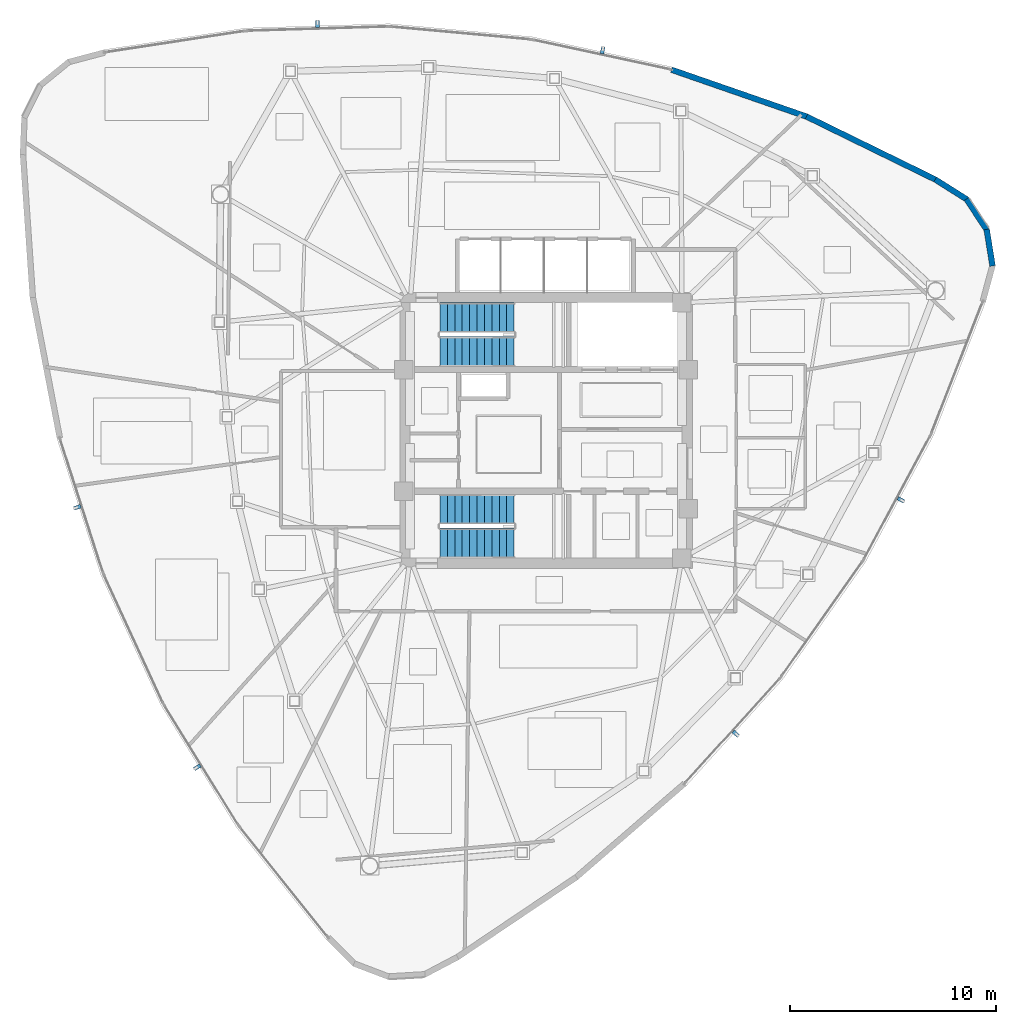
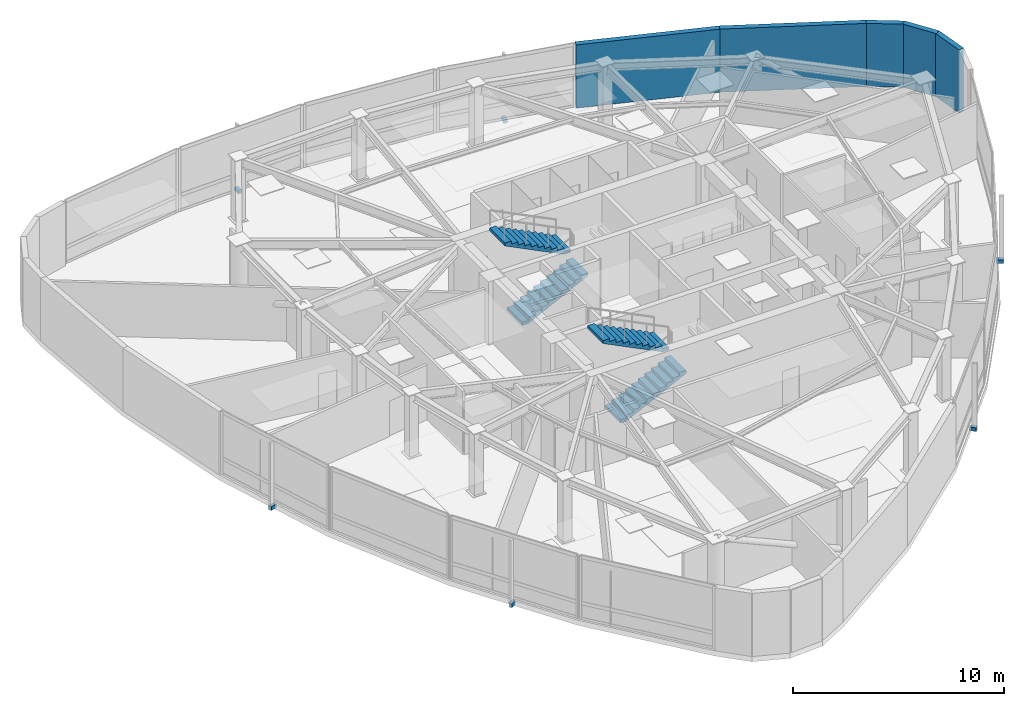
# One storey, part 11 of 14: 6 discrete accessories, 5 walls, 4 stair flights, 2 elements without a shape of their own.
"""IFC4 building model written with IfcOpenShell, lengths in metres."""

from ifc_helpers import new_model, si_unit, direction, frame, frame_2d, origin, origin_2d, place, context, subcontext, project, spatial, polyline, rectangle, outline, extrude, source, transform, mapped, material, layer, layer_set, type_object, type_shapes, element, aggregate, save


model = new_model("IFC4")

# Units and contexts
model_context = context("Model", 3, precision=1e-05, world=origin(), true_north=direction((0.0, 1.0)))
body_context = subcontext(model_context, "Body", "Model", "MODEL_VIEW")
ifc_project = project(units=[si_unit("LENGTHUNIT", "METRE"), si_unit("AREAUNIT", "SQUARE_METRE"), si_unit("VOLUMEUNIT", "CUBIC_METRE"), si_unit("PLANEANGLEUNIT", "RADIAN"), si_unit("MASSUNIT", "GRAM", prefix="KILO")], contexts=[model_context])

# Site, building, storey
site_placement = place(None, origin())
site = spatial("IfcSite", under=ifc_project, at=site_placement, CompositionType="ELEMENT")
building_placement = place(site_placement, origin())
building = spatial("IfcBuilding", under=site, at=building_placement, Name="Tavelor Broadcast Tower", CompositionType="ELEMENT")
storey_placement = place(building_placement, frame((0.0, 0.0, 257.699951171875)))
storey = spatial("IfcBuildingStorey", under=building, at=storey_placement, Name="L61", CompositionType="ELEMENT", Elevation=257.699951171875)

# Walls
ifc_material_1 = material(Name="Precast Concrete C40/50", Category="concrete")
ifc_layer = layer(ifc_material_1, 0.280029296875)
ifc_layer_set = layer_set([ifc_layer], Name="Precast Concrete C40/50")
wall_type = type_object("IfcWallType", Name="Insulated Precast Terracotta Facade Wall 280 mm", PredefinedType="STANDARD", material=ifc_layer_set)
for number, where, z_axis, x_axis, name in (
    (1, (71.680908203125, 52.983642578125, 0.0), (0.0, 0.0, 1.0), (-0.158963777333, 0.987284415706, 0.0), "L61 Rounded Corner Structural Cladding Pier 22"),
    (2, (71.4052734375, 54.7333984375, 0.0), (0.0, 0.0, 1.0), (-0.551189826252, 0.834379874779, 0.0), "L61 Rounded Corner Structural Cladding Pier 23"),
):
    element("IfcWall", number, at=place(storey_placement, frame(where, z_axis=z_axis, x_axis=x_axis)), inside=storey, type_object=wall_type, Name=name, PredefinedType="STANDARD", context=body_context, shape_type="SweptSolid", body=[
        extrude(rectangle(XDim=1.800048828125, YDim=0.280029296875, at=frame_2d((0.89990234375, 0.0))), origin(), (0.0, 0.0, 1.0), 3.650146484375),
    ])
wall_1_placement = place(storey_placement, frame((70.43408203125, 56.21484375, 0.0), z_axis=(0.0, 0.0, 1.0), x_axis=(-0.845740297802, 0.533594741984, 0.0)))
element("IfcWall", 3, at=wall_1_placement, inside=storey, type_object=wall_type, Name="L61 Rounded Corner Structural Cladding Pier 24", PredefinedType="STANDARD", context=body_context, shape_type="SweptSolid", body=[
    extrude(rectangle(XDim=1.822265625, YDim=0.280029296875, at=frame_2d((0.9111328125, 0.0))), origin(), (0.0, 0.0, 1.0), 3.650146484375),
])
wall_2_placement = place(storey_placement, frame((68.9189453125, 57.172607421875, 0.0), z_axis=(0.0, 0.0, 1.0), x_axis=(-0.89820702627, 0.439572676538, 0.0)))
element("IfcWall", 4, at=wall_2_placement, inside=storey, type_object=wall_type, Name="L61 Rounded Corner Structural Cladding Pier 25", PredefinedType="STANDARD", context=body_context, shape_type="SweptSolid", body=[
    extrude(rectangle(XDim=6.980224609375, YDim=0.280029296875, at=frame_2d((3.490234375, 0.0))), origin(), (0.0, 0.0, 1.0), 3.650146484375),
])
wall_3_placement = place(storey_placement, frame((62.677001953125, 60.2294921875, 0.0), z_axis=(0.0, 0.0, 1.0), x_axis=(-0.944802655, 0.327639959566, 0.0)))
element("IfcWall", 5, at=wall_3_placement, inside=storey, type_object=wall_type, Name="L61 Rounded Corner Structural Cladding Pier 26", PredefinedType="STANDARD", context=body_context, shape_type="SweptSolid", body=[
    extrude(rectangle(XDim=6.96875, YDim=0.280029296875, at=frame_2d((3.484375, 0.0))), origin(), (0.0, 0.0, 1.0), 3.650146484375),
])

# Stair, stair flights
ifc_material_2 = material(Name="Concrete C40/50", Category="concrete")
stair_type = type_object("IfcStairType", Name="Reinforced Concrete Protected Dogleg Stair 1450 mm", PredefinedType="HALF_TURN_STAIR", material=ifc_material_2)
stair_1_placement = place(storey_placement, origin())
stair_1 = element("IfcStair", 6, at=stair_1_placement, inside=storey, type_object=stair_type, Name="L61 Protected Core Exit Stair ST1", PredefinedType="HALF_TURN_STAIR")
stair_flight_type = type_object("IfcStairFlightType", Name="Reinforced Concrete Stair Flight 1450 mm", PredefinedType="STRAIGHT", material=ifc_material_2)
stair_flight_1_placement = place(storey_placement, frame((44.85009765625, 48.824951171875, 0.0), z_axis=(0.0, 0.0, 1.0), x_axis=(1.0, 0.0, 0.0)))
stair_flight_1 = element("IfcStairFlight", 7, at=stair_flight_1_placement, type_object=stair_flight_type, Name="ST1 flight 1", NumberOfRisers=11, NumberOfTreads=10, PredefinedType="STRAIGHT", RiserHeight=0.179545455, TreadLength=0.36, context=body_context, shape_type="SweptSolid", body=[
    extrude(outline(polyline([(0.0, 0.0), (0.0, 0.179443359375), (0.360107421875, 0.179443359375), (0.360107421875, 0.359130859375), (0.719970703125, 0.359130859375), (0.719970703125, 0.53857421875), (1.080078125, 0.53857421875), (1.080078125, 0.71826171875), (1.43994140625, 0.71826171875), (1.43994140625, 0.897705078125), (1.800048828125, 0.897705078125), (1.800048828125, 1.077392578125), (2.159912109375, 1.077392578125), (2.159912109375, 1.2568359375), (2.52001953125, 1.2568359375), (2.52001953125, 1.436279296875), (2.8798828125, 1.436279296875), (2.8798828125, 1.615966796875), (3.239990234375, 1.615966796875), (3.239990234375, 1.79541015625), (3.60009765625, 1.79541015625), (3.60009765625, 1.97509765625), (3.60009765625, 1.6279296875), (0.3359375, 0.0), (0.0, 0.0)])), frame((0.0, 0.72509765625, 0.0), z_axis=(0.0, -1.0, 0.0), x_axis=(1.0, 0.0, 0.0)), (0.0, 0.0, 1.0), 1.449951171875),
])
stair_flight_2_placement = place(storey_placement, frame((48.449951171875, 50.47509765625, 1.97509765625), z_axis=(0.0, 0.0, 1.0), x_axis=(-1.0, 0.0, 0.0)))
stair_flight_2 = element("IfcStairFlight", 8, at=stair_flight_2_placement, type_object=stair_flight_type, Name="ST1 flight 2", NumberOfRisers=11, NumberOfTreads=10, PredefinedType="STRAIGHT", RiserHeight=0.179545455, TreadLength=0.36, context=body_context, shape_type="SweptSolid", body=[
    extrude(outline(polyline([(0.0, 0.0), (0.0, 0.179443359375), (0.360107421875, 0.179443359375), (0.360107421875, 0.359130859375), (0.719970703125, 0.359130859375), (0.719970703125, 0.53857421875), (1.080078125, 0.53857421875), (1.080078125, 0.71826171875), (1.43994140625, 0.71826171875), (1.43994140625, 0.897705078125), (1.800048828125, 0.897705078125), (1.800048828125, 1.077392578125), (2.159912109375, 1.077392578125), (2.159912109375, 1.2568359375), (2.52001953125, 1.2568359375), (2.52001953125, 1.436279296875), (2.8798828125, 1.436279296875), (2.8798828125, 1.615966796875), (3.239990234375, 1.615966796875), (3.239990234375, 1.79541015625), (3.60009765625, 1.79541015625), (3.60009765625, 1.97509765625), (3.60009765625, 1.6279296875), (0.3359375, 0.0), (0.0, 0.0)])), frame((0.0, 0.72509765625, 0.0), z_axis=(0.0, -1.0, 0.0), x_axis=(1.0, 0.0, 0.0)), (0.0, 0.0, 1.0), 1.449951171875),
])
aggregate(stair_1, [stair_flight_1, stair_flight_2])

stair_2_placement = place(storey_placement, origin())
stair_2 = element("IfcStair", 9, at=stair_2_placement, inside=storey, type_object=stair_type, Name="L61 Protected Core Exit Stair ST2", PredefinedType="HALF_TURN_STAIR")
stair_flight_3_placement = place(storey_placement, frame((44.85009765625, 39.52490234375, 0.0), z_axis=(0.0, 0.0, 1.0), x_axis=(1.0, 0.0, 0.0)))
stair_flight_3 = element("IfcStairFlight", 10, at=stair_flight_3_placement, type_object=stair_flight_type, Name="ST2 flight 1", NumberOfRisers=11, NumberOfTreads=10, PredefinedType="STRAIGHT", RiserHeight=0.179545455, TreadLength=0.36, context=body_context, shape_type="SweptSolid", body=[
    extrude(outline(polyline([(0.0, 0.0), (0.0, 0.179443359375), (0.360107421875, 0.179443359375), (0.360107421875, 0.359130859375), (0.719970703125, 0.359130859375), (0.719970703125, 0.53857421875), (1.080078125, 0.53857421875), (1.080078125, 0.71826171875), (1.43994140625, 0.71826171875), (1.43994140625, 0.897705078125), (1.800048828125, 0.897705078125), (1.800048828125, 1.077392578125), (2.159912109375, 1.077392578125), (2.159912109375, 1.2568359375), (2.52001953125, 1.2568359375), (2.52001953125, 1.436279296875), (2.8798828125, 1.436279296875), (2.8798828125, 1.615966796875), (3.239990234375, 1.615966796875), (3.239990234375, 1.79541015625), (3.60009765625, 1.79541015625), (3.60009765625, 1.97509765625), (3.60009765625, 1.6279296875), (0.3359375, 0.0), (0.0, 0.0)])), frame((0.0, 0.72509765625, 0.0), z_axis=(0.0, -1.0, 0.0), x_axis=(1.0, 0.0, 0.0)), (0.0, 0.0, 1.0), 1.449951171875),
])
stair_flight_4_placement = place(storey_placement, frame((48.449951171875, 41.175048828125, 1.97509765625), z_axis=(0.0, 0.0, 1.0), x_axis=(-1.0, 0.0, 0.0)))
stair_flight_4 = element("IfcStairFlight", 11, at=stair_flight_4_placement, type_object=stair_flight_type, Name="ST2 flight 2", NumberOfRisers=11, NumberOfTreads=10, PredefinedType="STRAIGHT", RiserHeight=0.179545455, TreadLength=0.36, context=body_context, shape_type="SweptSolid", body=[
    extrude(outline(polyline([(0.0, 0.0), (0.0, 0.179443359375), (0.360107421875, 0.179443359375), (0.360107421875, 0.359130859375), (0.719970703125, 0.359130859375), (0.719970703125, 0.53857421875), (1.080078125, 0.53857421875), (1.080078125, 0.71826171875), (1.43994140625, 0.71826171875), (1.43994140625, 0.897705078125), (1.800048828125, 0.897705078125), (1.800048828125, 1.077392578125), (2.159912109375, 1.077392578125), (2.159912109375, 1.2568359375), (2.52001953125, 1.2568359375), (2.52001953125, 1.436279296875), (2.8798828125, 1.436279296875), (2.8798828125, 1.615966796875), (3.239990234375, 1.615966796875), (3.239990234375, 1.79541015625), (3.60009765625, 1.79541015625), (3.60009765625, 1.97509765625), (3.60009765625, 1.6279296875), (0.3359375, 0.0), (0.0, 0.0)])), frame((0.0, 0.72509765625, 0.0), z_axis=(0.0, -1.0, 0.0), x_axis=(1.0, 0.0, 0.0)), (0.0, 0.0, 1.0), 1.449951171875),
])
aggregate(stair_2, [stair_flight_3, stair_flight_4])

# Discrete accessories
ifc_material_3 = material(Name="Steel S355", Category="steel")
discrete_accessory_type = type_object("IfcDiscreteAccessoryType", Name="Stainless Baguette Outrigger Support Bracket 260x180", PredefinedType="BRACKET", material=ifc_material_3)
shared_shape = source(origin(), body_context, "Body", "SweptSolid", [
    extrude(rectangle(XDim=0.179931640625, YDim=0.340087890625, at=origin_2d()), origin(), (0.0, 0.0, 1.0), 0.216064453125),
])
type_shapes(discrete_accessory_type, [shared_shape])
for number, where, z_axis, x_axis, name in (
    (12, (27.240478515625, 41.266845703125, -0.2578125), (0.0, 0.0, 1.0), (0.306193796821, -0.951969200546, 0.0), "L61 Baguette Outrigger Bracket 637"),
    (13, (33.06591796875, 28.6455078125, -0.2578125), (0.0, 0.0, 1.0), (0.525917062677, -0.850535856496, 0.0), "L61 Baguette Outrigger Bracket 638"),
    (14, (59.212646484375, 30.27392578125, -0.2578125), (0.0, 0.0, 1.0), (0.671461958818, 0.741039025868, 0.0), "L61 Baguette Outrigger Bracket 639"),
    (15, (67.23046875, 41.62939453125, -0.2578125), (0.0, 0.0, 1.0), (0.473627127217, 0.88072546481, 0.0), "L61 Baguette Outrigger Bracket 640"),
    (16, (52.746826171875, 63.459228515625, -0.2578125), (0.0, 0.0, 1.0), (-0.977489601007, 0.210983601077, 0.0), "L61 Baguette Outrigger Bracket 641"),
    (17, (38.90380859375, 64.72509765625, -0.2578125), (0.0, 0.0, 1.0), (-0.999544189894, -0.030189608314, 0.0), "L61 Baguette Outrigger Bracket 642"),
):
    element("IfcDiscreteAccessory", number, at=place(storey_placement, frame(where, z_axis=z_axis, x_axis=x_axis)), inside=storey, type_object=discrete_accessory_type, Name=name, PredefinedType="BRACKET", context=body_context, shape_type="MappedRepresentation", body=[
        mapped(shared_shape, transform((0.0, 0.0, 0.0), scale=1.0)),
    ])

save(model, "model.ifc")
